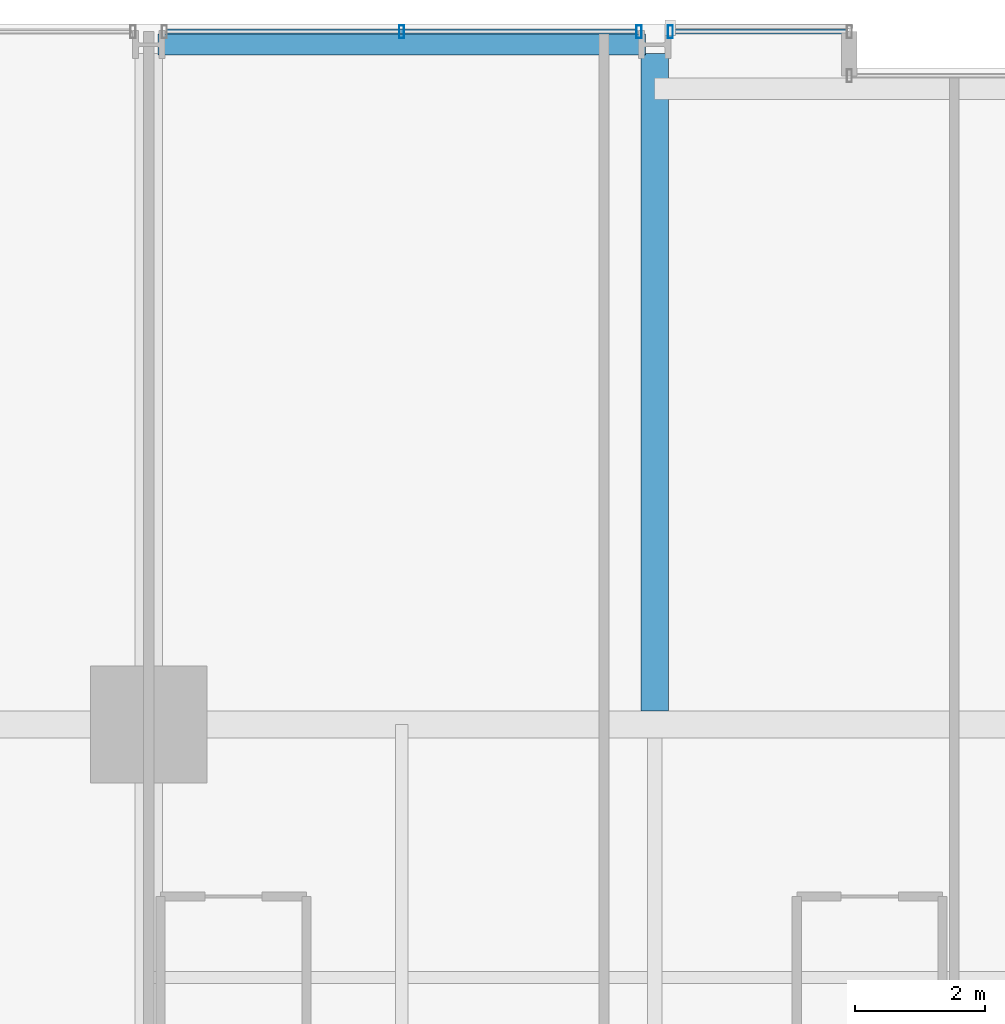
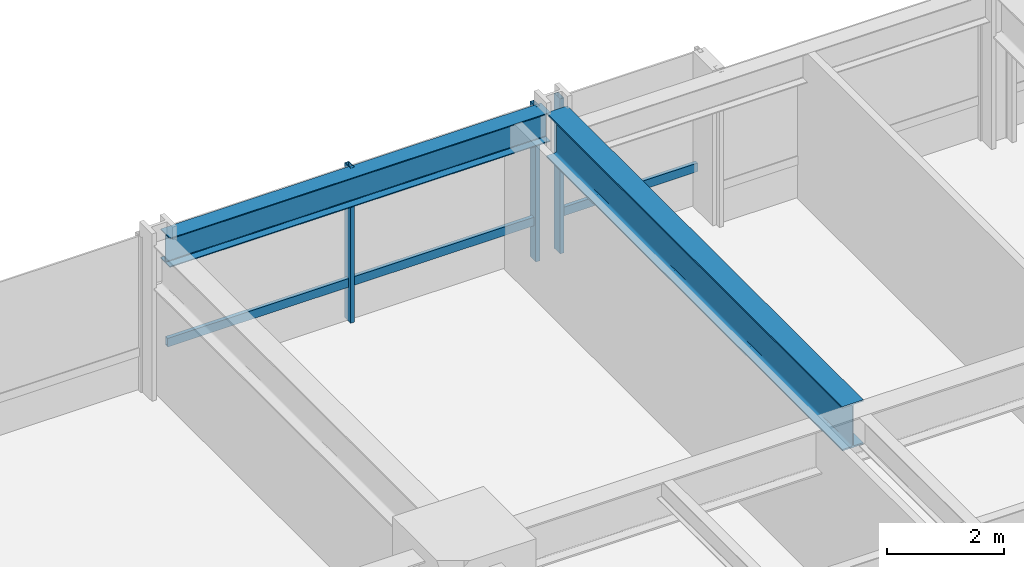
# One storey, part 22 of 39: 5 members, 2 beams, 2 elements without a shape of their own.
"""IFC4 building model written with IfcOpenShell, lengths in metres."""

from ifc_helpers import new_model, si_unit, direction, frame, origin, origin_2d, place, context, subcontext, project, spatial, hollow_rectangle, i_section, extrude, material, layer, layer_set, material_profile, profile_set, type_object, element, aggregate, save


model = new_model("IFC4")

# Units and contexts
model_context = context("Model", 3, precision=1e-05, world=origin(), true_north=direction((0.0, 1.0)))
body_context = subcontext(model_context, "Body", "Model", "MODEL_VIEW")
ifc_project = project(units=[si_unit("LENGTHUNIT", "METRE"), si_unit("AREAUNIT", "SQUARE_METRE"), si_unit("VOLUMEUNIT", "CUBIC_METRE"), si_unit("PLANEANGLEUNIT", "RADIAN"), si_unit("MASSUNIT", "GRAM", prefix="KILO")], contexts=[model_context])

# Site, building, storey
site_placement = place(None, origin())
site = spatial("IfcSite", under=ifc_project, at=site_placement, CompositionType="ELEMENT")
building_placement = place(site_placement, origin())
building = spatial("IfcBuilding", under=site, at=building_placement, Name="Drelvath Grand Hotel", CompositionType="ELEMENT")
storey_placement = place(building_placement, frame((0.0, 0.0, 54.199951171875)))
storey = spatial("IfcBuildingStorey", under=building, at=storey_placement, Name="L12", CompositionType="ELEMENT", Elevation=54.199951171875)

# Curtain wall, member
ifc_material_1 = material(Name="Warm Bronze Anodised Aluminium Frame", Category="aluminium")
ifc_layer = layer(ifc_material_1, 0.199951171875)
ifc_layer_set = layer_set([ifc_layer], Name="Warm Bronze Anodised Aluminium Frame")
curtain_wall_type = type_object("IfcCurtainWallType", Name="Stick Curtain Wall CW-02 Warm Bronze Low-Rise", PredefinedType="NOTDEFINED", material=ifc_layer_set)
curtain_wall_1_placement = place(storey_placement, origin())
curtain_wall_1 = element("IfcCurtainWall", 1, at=curtain_wall_1_placement, inside=storey, type_object=curtain_wall_type, Name="L12 CW-02 Curtain Wall CW02-L12-NW2", PredefinedType="NOTDEFINED")
ifc_material_profile_1 = material_profile(ifc_material_1, hollow_rectangle(XDim=0.074951171875, YDim=0.179931640625, WallThickness=0.0048828125, at=origin_2d()), Name="HSS180X75X5")
ifc_profile_set_1 = profile_set([ifc_material_profile_1], Name="Warm Bronze Anodised Aluminium Frame")
member_type_1 = type_object("IfcMemberType", Name="Curtain Wall Horizontal Transom CW-02 HSS180X75X5", PredefinedType="USERDEFINED", material=ifc_profile_set_1)
member_1_placement = place(storey_placement, frame((-15.919189453125, 53.8798828125, 0.81005859375), z_axis=(1.0, 0.0, 0.0), x_axis=(0.0, 1.0, 0.0)))
member_1 = element("IfcMember", 2, at=member_1_placement, type_object=member_type_1, Name="CW02-L12-NW2 Sill Transom", ObjectType="TRANSOM", PredefinedType="USERDEFINED", context=body_context, shape_type="SweptSolid", body=[
    extrude(hollow_rectangle(XDim=0.074951171875, YDim=0.179931640625, WallThickness=0.0048828125, at=origin_2d()), origin(), (0.0, 0.0, 1.0), 7.23828125),
])

curtain_wall_2_placement = place(storey_placement, origin())
curtain_wall_2 = element("IfcCurtainWall", 3, at=curtain_wall_2_placement, inside=storey, type_object=curtain_wall_type, Name="L12 CW-02 Curtain Wall CW02-L12-NW3", PredefinedType="NOTDEFINED")
member_2_placement = place(storey_placement, frame((-8.119140625, 53.8798828125, 0.81005859375), z_axis=(1.0, 0.0, 0.0), x_axis=(0.0, 1.0, 0.0)))
member_2 = element("IfcMember", 4, at=member_2_placement, type_object=member_type_1, Name="CW02-L12-NW3 Sill Transom", ObjectType="TRANSOM", PredefinedType="USERDEFINED", context=body_context, shape_type="SweptSolid", body=[
    extrude(hollow_rectangle(XDim=0.074951171875, YDim=0.179931640625, WallThickness=0.0048828125, at=origin_2d()), origin(), (0.0, 0.0, 1.0), 2.67919921875),
])

# Member
ifc_material_profile_2 = material_profile(ifc_material_1, hollow_rectangle(XDim=0.080078125, YDim=0.199951171875, WallThickness=0.0048828125, at=origin_2d()), Name="HSS200X80X5")
ifc_profile_set_2 = profile_set([ifc_material_profile_2], Name="Warm Bronze Anodised Aluminium Frame")
member_type_2 = type_object("IfcMemberType", Name="Curtain Wall Vertical Mullion CW-02 HSS200X80X5", PredefinedType="MULLION", material=ifc_profile_set_2)
member_3_placement = place(storey_placement, frame((-12.300048828125, 53.8798828125, 0.0), z_axis=(0.0, 0.0, 1.0), x_axis=(1.0, 0.0, 0.0)))
member_3 = element("IfcMember", 5, at=member_3_placement, type_object=member_type_2, Name="CW02-L12-NW2 Mullion 2", PredefinedType="MULLION", context=body_context, shape_type="SweptSolid", body=[
    extrude(hollow_rectangle(XDim=0.080078125, YDim=0.199951171875, WallThickness=0.0048828125, at=origin_2d()), origin(), (0.0, 0.0, 1.0), 3.239990234375),
])

member_4_placement = place(storey_placement, frame((-8.640869140625, 53.8798828125, 0.0), z_axis=(0.0, 0.0, 1.0), x_axis=(1.0, 0.0, 0.0)))
member_4 = element("IfcMember", 6, at=member_4_placement, type_object=member_type_2, Name="CW02-L12-NW2 Mullion 3", PredefinedType="MULLION", context=body_context, shape_type="SweptSolid", body=[
    extrude(hollow_rectangle(XDim=0.080078125, YDim=0.199951171875, WallThickness=0.0048828125, at=origin_2d()), origin(), (0.0, 0.0, 1.0), 3.239990234375),
])

aggregate(curtain_wall_1, [member_3, member_4, member_1])

member_5_placement = place(storey_placement, frame((-8.1591796875, 53.8798828125, 0.0), z_axis=(0.0, 0.0, 1.0), x_axis=(1.0, 0.0, 0.0)))
member_5 = element("IfcMember", 7, at=member_5_placement, type_object=member_type_2, Name="CW02-L12-NW3 Mullion 1", PredefinedType="MULLION", context=body_context, shape_type="SweptSolid", body=[
    extrude(hollow_rectangle(XDim=0.080078125, YDim=0.199951171875, WallThickness=0.0048828125, at=origin_2d()), origin(), (0.0, 0.0, 1.0), 3.239990234375),
])

aggregate(curtain_wall_2, [member_5, member_2])

# Beams
ifc_material_2 = material(Name="Steel ASTM A992 Gr 50", Category="steel")
ifc_material_profile_3 = material_profile(ifc_material_2, i_section(OverallWidth=0.323974609375, OverallDepth=0.611083984375, WebThickness=0.0126953125, FlangeThickness=0.01904296875, FilletRadius=0.02197265625, at=origin_2d()), Name="W24X104")
ifc_profile_set_3 = profile_set([ifc_material_profile_3], Name="Steel ASTM A992 Gr 50")
beam_type_1 = type_object("IfcBeamType", Name="Perimeter Spandrel Beam W24X104", PredefinedType="SPANDREL", material=ifc_profile_set_3)
beam_1_placement = place(storey_placement, frame((-16.06005859375, 53.679931640625, 2.9345703125), z_axis=(1.0, 0.0, 0.0), x_axis=(0.0, 1.0, 0.0)))
element("IfcBeam", 8, at=beam_1_placement, inside=storey, type_object=beam_type_1, Name="L12 Spandrel North W", PredefinedType="SPANDREL", context=body_context, shape_type="SweptSolid", body=[
    extrude(i_section(OverallWidth=0.323974609375, OverallDepth=0.611083984375, WebThickness=0.0126953125, FlangeThickness=0.01904296875, FilletRadius=0.02197265625, at=origin_2d()), origin(), (0.0, 0.0, 1.0), 7.52001953125),
])
ifc_material_profile_4 = material_profile(ifc_material_2, i_section(OverallWidth=0.418212890625, OverallDepth=0.926513671875, WebThickness=0.019287109375, FlangeThickness=0.031982421875, FilletRadius=0.028076171875, at=origin_2d()), Name="W36X231")
ifc_profile_set_4 = profile_set([ifc_material_profile_4], Name="Steel ASTM A992 Gr 50")
beam_type_2 = type_object("IfcBeamType", Name="Primary Floor Girder W36X231", PredefinedType="BEAM", material=ifc_profile_set_4)
beam_2_placement = place(storey_placement, frame((-8.39990234375, 43.4091796875, 2.77685546875), z_axis=(0.0, 1.0, 0.0), x_axis=(-1.0, 0.0, 0.0)))
element("IfcBeam", 9, at=beam_2_placement, inside=storey, type_object=beam_type_2, Name="L12 North Wing Girder 4", PredefinedType="BEAM", context=body_context, shape_type="SweptSolid", body=[
    extrude(i_section(OverallWidth=0.418212890625, OverallDepth=0.926513671875, WebThickness=0.019287109375, FlangeThickness=0.031982421875, FilletRadius=0.028076171875, at=origin_2d()), origin(), (0.0, 0.0, 1.0), 10.130859375),
])

save(model, "model.ifc")
